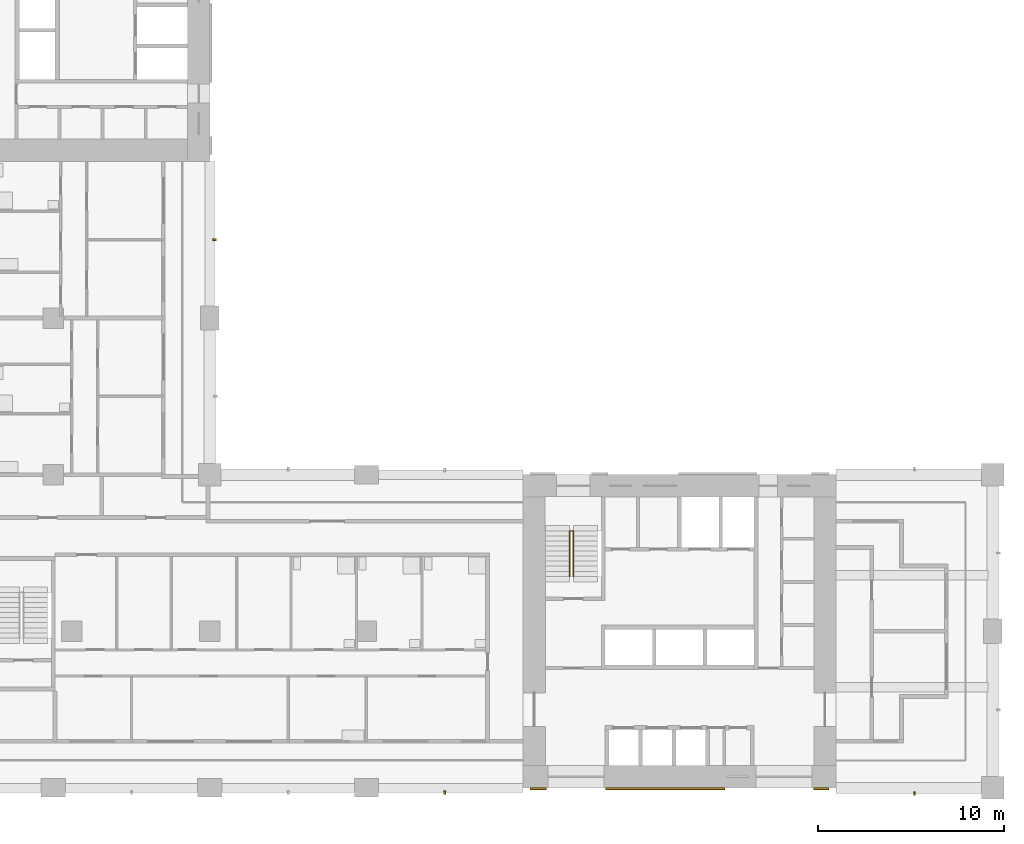
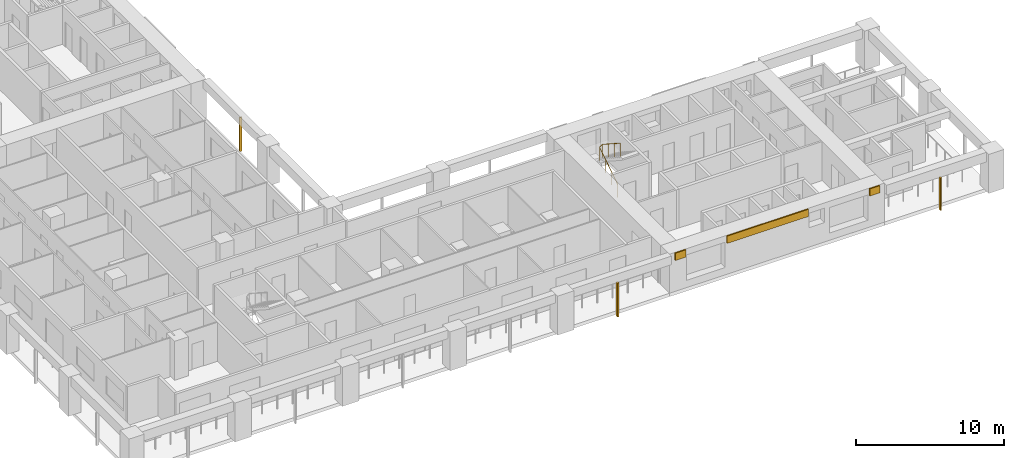
# One storey, part 12 of 17: 6 shading devices, 1 railing.
"""IFC4 building model written with IfcOpenShell, lengths in metres."""

from ifc_helpers import new_model, si_unit, direction, frame, origin, origin_2d, place, context, subcontext, project, spatial, rectangle, circle, extrude, material, layer, layer_set, material_profile, profile_set, type_object, element, save


model = new_model("IFC4")

# Units and contexts
model_context = context("Model", 3, precision=1e-05, world=origin(), true_north=direction((0.0, 1.0)))
body_context = subcontext(model_context, "Body", "Model", "MODEL_VIEW")
ifc_project = project(units=[si_unit("LENGTHUNIT", "METRE"), si_unit("AREAUNIT", "SQUARE_METRE"), si_unit("VOLUMEUNIT", "CUBIC_METRE"), si_unit("PLANEANGLEUNIT", "RADIAN"), si_unit("MASSUNIT", "GRAM", prefix="KILO")], contexts=[model_context])

# Site, building, storey
site_placement = place(None, origin())
site = spatial("IfcSite", under=ifc_project, at=site_placement, CompositionType="ELEMENT")
building_placement = place(site_placement, origin())
building = spatial("IfcBuilding", under=site, at=building_placement, Name="Vermilion Gate Residences", CompositionType="ELEMENT")
storey_placement = place(building_placement, frame((0.0, 0.0, 95.199951171875)))
storey = spatial("IfcBuildingStorey", under=building, at=storey_placement, Name="L23", CompositionType="ELEMENT", Elevation=95.199951171875)

# Railing
ifc_material_1 = material(Name="Steel S355", Category="steel")
railing_type = type_object("IfcRailingType", Name="STAIR GUARD 1100 STEEL", PredefinedType="GUARDRAIL", material=ifc_material_1)
railing_placement = place(storey_placement, frame((44.5, 19.75, 0.175048828125)))
element("IfcRailing", 1, at=railing_placement, inside=storey, type_object=railing_type, Name="Stair well guard STA1-23", PredefinedType="GUARDRAIL", context=body_context, shape_type="SweptSolid", body=[
    extrude(circle(Radius=0.02392578125, at=origin_2d()), frame((0.0, 0.0, 1.076171875), z_axis=(0.0, 0.839153699163, 0.543894354798), x_axis=(-1.0, 0.0, 0.0)), (0.0, 0.0, 1.0), 2.895751953125),
    extrude(circle(Radius=0.02392578125, at=origin_2d()), frame((0.0, 2.429931640625, 2.65087890625), z_axis=(0.752405939678, 0.0, 0.658699705433), x_axis=(0.0, 1.0, 0.0)), (0.0, 0.0, 1.0), 0.265869140625),
    extrude(circle(Radius=0.02392578125, at=origin_2d()), frame((0.199951171875, 2.429931640625, 2.826171875), z_axis=(0.0, -0.839153699163, 0.543894354798), x_axis=(1.0, 0.0, 0.0)), (0.0, 0.0, 1.0), 2.895751953125),
    extrude(circle(Radius=0.02099609375, at=origin_2d()), origin(), (0.0, 0.0, 1.0), 1.052001953125),
    extrude(circle(Radius=0.02099609375, at=origin_2d()), frame((0.0, 0.81005859375, 0.52490234375)), (0.0, 0.0, 1.0), 1.052001953125),
    extrude(circle(Radius=0.02099609375, at=origin_2d()), frame((0.0, 1.619873046875, 1.050048828125)), (0.0, 0.0, 1.0), 1.052001953125),
    extrude(circle(Radius=0.02099609375, at=origin_2d()), frame((0.0, 2.429931640625, 1.574951171875)), (0.0, 0.0, 1.0), 1.052001953125),
    extrude(circle(Radius=0.02099609375, at=origin_2d()), frame((0.199951171875, 2.429931640625, 1.75)), (0.0, 0.0, 1.0), 1.052001953125),
    extrude(circle(Radius=0.02099609375, at=origin_2d()), frame((0.199951171875, 1.619873046875, 2.27490234375)), (0.0, 0.0, 1.0), 1.052001953125),
    extrude(circle(Radius=0.02099609375, at=origin_2d()), frame((0.199951171875, 0.81005859375, 2.800048828125)), (0.0, 0.0, 1.0), 1.052001953125),
    extrude(circle(Radius=0.02099609375, at=origin_2d()), frame((0.199951171875, 0.0, 3.324951171875)), (0.0, 0.0, 1.0), 1.052001953125),
])

# Shading devices
ifc_material_2 = material(Name="Extruded terracotta", Category="masonry")
ifc_material_profile = material_profile(ifc_material_2, rectangle(XDim=0.199951171875, YDim=0.10009765625, at=origin_2d()), Name="BAGUETTE 100 X 200")
ifc_profile_set = profile_set([ifc_material_profile], Name="Extruded terracotta")
shading_device_type_1 = type_object("IfcShadingDeviceType", Name="TERRACOTTA BAGUETTE 100 X 200", PredefinedType="JALOUSIE", material=ifc_profile_set)
shading_device_1_placement = place(storey_placement, frame((37.800048828125, 8.14990234375, -0.280029296875), z_axis=(0.0, 0.0, 1.0), x_axis=(0.0, 1.0, 0.0)))
element("IfcShadingDevice", 2, at=shading_device_1_placement, inside=storey, type_object=shading_device_type_1, Name="BAGUETTE", PredefinedType="JALOUSIE", context=body_context, shape_type="SweptSolid", body=[
    extrude(rectangle(XDim=0.199951171875, YDim=0.10009765625, at=origin_2d()), origin(), (0.0, 0.0, 1.0), 2.800048828125),
])
shading_device_2_placement = place(storey_placement, frame((63.0, 8.10009765625, -0.280029296875), z_axis=(0.0, 0.0, 1.0), x_axis=(0.0, 1.0, 0.0)))
element("IfcShadingDevice", 3, at=shading_device_2_placement, inside=storey, type_object=shading_device_type_1, Name="BAGUETTE", PredefinedType="JALOUSIE", context=body_context, shape_type="SweptSolid", body=[
    extrude(rectangle(XDim=0.199951171875, YDim=0.10009765625, at=origin_2d()), origin(), (0.0, 0.0, 1.0), 2.7001953125),
])
shading_device_3_placement = place(storey_placement, frame((25.449951171875, 37.800048828125, -0.280029296875), z_axis=(0.0, 0.0, 1.0), x_axis=(-1.0, 0.0, 0.0)))
element("IfcShadingDevice", 4, at=shading_device_3_placement, inside=storey, type_object=shading_device_type_1, Name="BAGUETTE", PredefinedType="JALOUSIE", context=body_context, shape_type="SweptSolid", body=[
    extrude(rectangle(XDim=0.199951171875, YDim=0.10009765625, at=origin_2d()), origin(), (0.0, 0.0, 1.0), 2.800048828125),
])
ifc_material_3 = material(Name="Extruded terracotta", Category="masonry")
ifc_layer = layer(ifc_material_3, 0.10009765625)
ifc_layer_set = layer_set([ifc_layer], Name="TERRACOTTA SPANDREL BAND 600 X 100")
shading_device_type_2 = type_object("IfcShadingDeviceType", Name="TERRACOTTA SPANDREL BAND 600 X 100", PredefinedType="USERDEFINED", material=ifc_layer_set)
shading_device_4_placement = place(storey_placement, frame((42.824951171875, 8.35009765625, 2.6201171875), z_axis=(0.0, 0.0, 1.0), x_axis=(1.0, 0.0, 0.0)))
element("IfcShadingDevice", 5, at=shading_device_4_placement, inside=storey, type_object=shading_device_type_2, Name="SPANDREL BAND", ObjectType="BAND", PredefinedType="USERDEFINED", context=body_context, shape_type="SweptSolid", body=[
    extrude(rectangle(XDim=0.85009765625, YDim=0.10009765625, at=origin_2d()), origin(), (0.0, 0.0, 1.0), 0.60009765625),
])
shading_device_5_placement = place(storey_placement, frame((49.6337890625, 8.35009765625, 2.6201171875), z_axis=(0.0, 0.0, 1.0), x_axis=(1.0, 0.0, 0.0)))
element("IfcShadingDevice", 6, at=shading_device_5_placement, inside=storey, type_object=shading_device_type_2, Name="SPANDREL BAND", ObjectType="BAND", PredefinedType="USERDEFINED", context=body_context, shape_type="SweptSolid", body=[
    extrude(rectangle(XDim=6.367431640625, YDim=0.10009765625, at=origin_2d()), origin(), (0.0, 0.0, 1.0), 0.60009765625),
])
shading_device_6_placement = place(storey_placement, frame((58.0, 8.35009765625, 2.6201171875), z_axis=(0.0, 0.0, 1.0), x_axis=(1.0, 0.0, 0.0)))
element("IfcShadingDevice", 7, at=shading_device_6_placement, inside=storey, type_object=shading_device_type_2, Name="SPANDREL BAND", ObjectType="BAND", PredefinedType="USERDEFINED", context=body_context, shape_type="SweptSolid", body=[
    extrude(rectangle(XDim=0.800048828125, YDim=0.10009765625, at=origin_2d()), origin(), (0.0, 0.0, 1.0), 0.60009765625),
])

save(model, "model.ifc")
